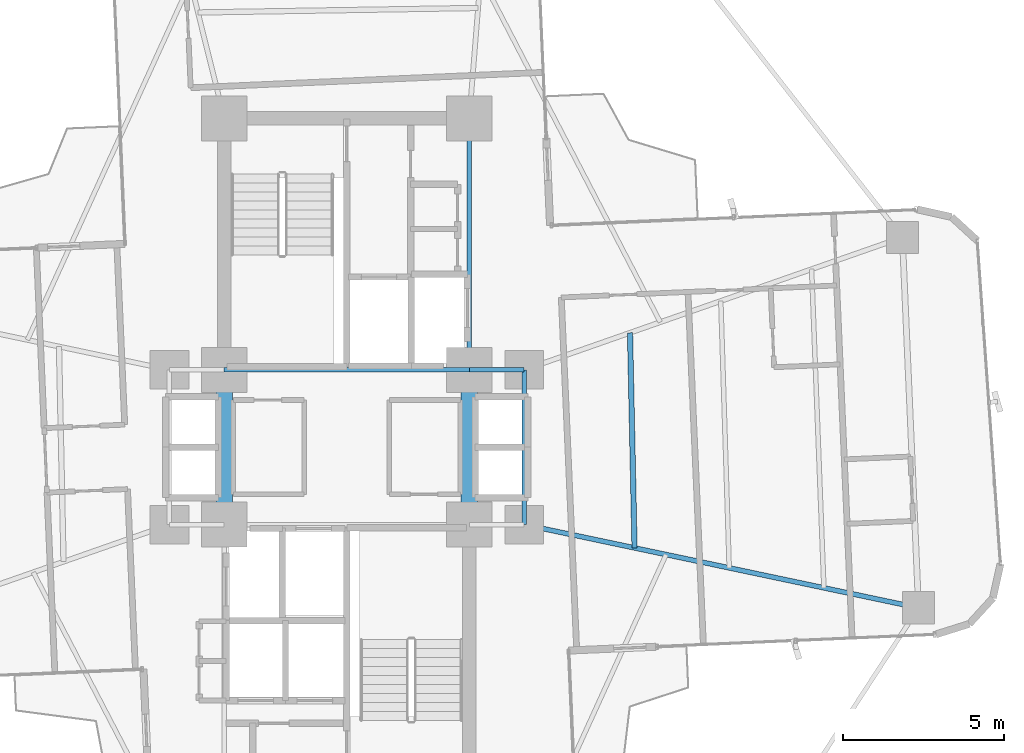
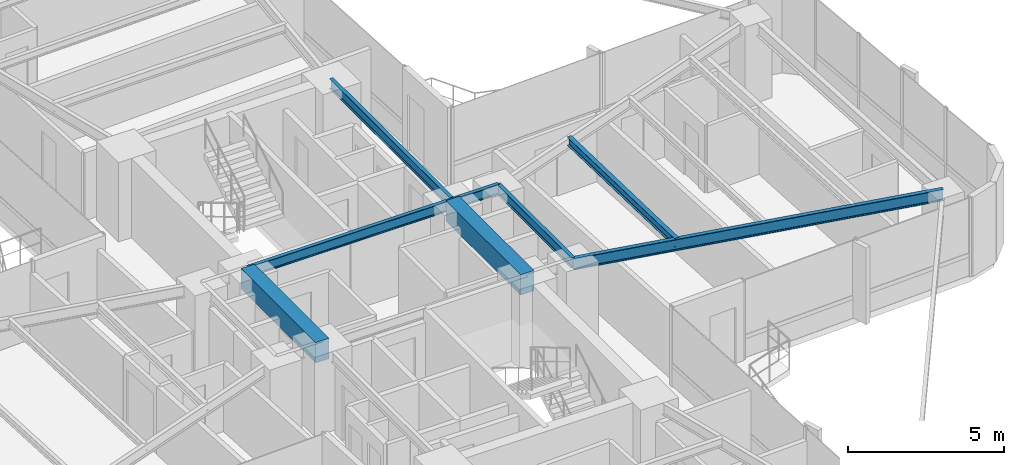
# One storey, part 12 of 26: 8 beams.
"""IFC4 building model written with IfcOpenShell, lengths in metres."""

from ifc_helpers import new_model, si_unit, direction, frame, origin, origin_2d, place, context, subcontext, project, spatial, rectangle, i_section, extrude, source, transform, mapped, material, material_profile, profile_set, type_object, element, save


model = new_model("IFC4")

# Units and contexts
model_context = context("Model", 3, precision=1e-05, world=origin(), true_north=direction((0.0, 1.0)))
body_context = subcontext(model_context, "Body", "Model", "MODEL_VIEW")
ifc_project = project(units=[si_unit("LENGTHUNIT", "METRE"), si_unit("AREAUNIT", "SQUARE_METRE"), si_unit("VOLUMEUNIT", "CUBIC_METRE"), si_unit("PLANEANGLEUNIT", "RADIAN"), si_unit("MASSUNIT", "GRAM", prefix="KILO")], contexts=[model_context])

# Site, building, storey
site_placement = place(None, origin())
site = spatial("IfcSite", under=ifc_project, at=site_placement, CompositionType="ELEMENT")
building_placement = place(site_placement, origin())
building = spatial("IfcBuilding", under=site, at=building_placement, Name="Sahyath Konkavel Grand Hotel", CompositionType="ELEMENT")
storey_placement = place(building_placement, frame((0.0, 0.0, 118.14990234375)))
storey = spatial("IfcBuildingStorey", under=building, at=storey_placement, Name="L32", CompositionType="ELEMENT", Elevation=118.14990234375)

# Beams
ifc_material_1 = material(Name="Steel E350", Category="steel")
ifc_material_profile_1 = material_profile(ifc_material_1, i_section(OverallWidth=0.139892578125, OverallDepth=0.39990234375, WebThickness=0.0087890625, FlangeThickness=0.01611328125, FilletRadius=0.013916015625, at=origin_2d()), Name="ISMB 400")
ifc_profile_set_1 = profile_set([ifc_material_profile_1], Name="Steel E350")
beam_type_1 = type_object("IfcBeamType", Name="BM-ISMB400", PredefinedType="BEAM", material=ifc_profile_set_1)
shared_shape_1 = source(origin(), body_context, "Body", "SweptSolid", [
    extrude(i_section(OverallWidth=0.139892578125, OverallDepth=0.39990234375, WebThickness=0.0087890625, FlangeThickness=0.01611328125, FilletRadius=0.013916015625, at=origin_2d()), origin(), (0.0, 0.0, 1.0), 7.60009765625),
])
beam_1_placement = place(storey_placement, frame((-3.800048828125, 2.39990234375, 2.91015625), z_axis=(1.0, 0.0, 0.0), x_axis=(0.0, 1.0, 0.0)))
element("IfcBeam", 1, at=beam_1_placement, inside=storey, type_object=beam_type_1, Name="str:bm:L32:NC-S", PredefinedType="BEAM", context=body_context, shape_type="MappedRepresentation", body=[
    mapped(shared_shape_1, transform((0.0, 0.0, 0.0), scale=1.0)),
])
shared_shape_2 = source(origin(), body_context, "Body", "SweptSolid", [
    extrude(i_section(OverallWidth=0.139892578125, OverallDepth=0.39990234375, WebThickness=0.0087890625, FlangeThickness=0.01611328125, FilletRadius=0.013916015625, at=origin_2d()), origin(), (0.0, 0.0, 1.0), 7.800048828125),
])
beam_2_placement = place(storey_placement, frame((3.800048828125, 2.39990234375, 2.91015625), z_axis=(0.0, 1.0, 0.0), x_axis=(-1.0, 0.0, 0.0)))
element("IfcBeam", 2, at=beam_2_placement, inside=storey, type_object=beam_type_1, Name="str:bm:L32:NC-E", PredefinedType="BEAM", context=body_context, shape_type="MappedRepresentation", body=[
    mapped(shared_shape_2, transform((0.0, 0.0, 0.0), scale=1.0)),
])
shared_shape_3 = source(origin(), body_context, "Body", "SweptSolid", [
    extrude(i_section(OverallWidth=0.139892578125, OverallDepth=0.39990234375, WebThickness=0.0087890625, FlangeThickness=0.01611328125, FilletRadius=0.013916015625, at=origin_2d()), origin(), (0.0, 0.0, 1.0), 1.699951171875),
])
beam_3_placement = place(storey_placement, frame((3.800048828125, 2.39990234375, 2.91015625), z_axis=(1.0, 0.0, 0.0), x_axis=(0.0, 1.0, 0.0)))
element("IfcBeam", 3, at=beam_3_placement, inside=storey, type_object=beam_type_1, Name="str:bm:L32:HB-NE", PredefinedType="BEAM", context=body_context, shape_type="MappedRepresentation", body=[
    mapped(shared_shape_3, transform((0.0, 0.0, 0.0), scale=1.0)),
])
shared_shape_4 = source(origin(), body_context, "Body", "SweptSolid", [
    extrude(i_section(OverallWidth=0.139892578125, OverallDepth=0.39990234375, WebThickness=0.0087890625, FlangeThickness=0.01611328125, FilletRadius=0.013916015625, at=origin_2d()), origin(), (0.0, 0.0, 1.0), 4.7998046875),
])
beam_4_placement = place(storey_placement, frame((5.5, -2.39990234375, 2.91015625), z_axis=(0.0, 1.0, 0.0), x_axis=(-1.0, 0.0, 0.0)))
element("IfcBeam", 4, at=beam_4_placement, inside=storey, type_object=beam_type_1, Name="str:bm:L32:HB-E", PredefinedType="BEAM", context=body_context, shape_type="MappedRepresentation", body=[
    mapped(shared_shape_4, transform((0.0, 0.0, 0.0), scale=1.0)),
])
ifc_material_2 = material(Name="Concrete C50/60", Category="concrete")
ifc_material_profile_2 = material_profile(ifc_material_2, rectangle(XDim=0.5, YDim=0.800048828125, at=origin_2d()), Name="RC 500x800")
ifc_profile_set_2 = profile_set([ifc_material_profile_2], Name="Concrete C50/60")
beam_type_2 = type_object("IfcBeamType", Name="BM-CB500x800", PredefinedType="LINTEL", material=ifc_profile_set_2)
shared_shape_5 = source(origin(), body_context, "Body", "SweptSolid", [
    extrude(rectangle(XDim=0.5, YDim=0.800048828125, at=origin_2d()), origin(), (0.0, 0.0, 1.0), 4.7998046875),
])
for number, where, z_axis, x_axis, name in (
    (5, (-3.800048828125, -2.39990234375, 2.710205078125), (0.0, 1.0, 0.0), (-1.0, 0.0, 0.0), "L32 Split-Core Coupling Beam West"),
    (6, (3.800048828125, -2.39990234375, 2.710205078125), (0.0, 1.0, 0.0), (-1.0, 0.0, 0.0), "L32 Split-Core Coupling Beam East"),
):
    element("IfcBeam", number, at=place(storey_placement, frame(where, z_axis=z_axis, x_axis=x_axis)), inside=storey, type_object=beam_type_2, Name=name, PredefinedType="LINTEL", context=body_context, shape_type="MappedRepresentation", body=[
        mapped(shared_shape_5, transform((0.0, 0.0, 0.0), scale=1.0)),
    ])
ifc_material_profile_3 = material_profile(ifc_material_1, i_section(OverallWidth=0.14990234375, OverallDepth=0.449951171875, WebThickness=0.009521484375, FlangeThickness=0.017333984375, FilletRadius=0.014892578125, at=origin_2d()), Name="ISMB 450")
ifc_profile_set_3 = profile_set([ifc_material_profile_3], Name="Steel E350")
beam_type_3 = type_object("IfcBeamType", Name="BM-ISMB450", PredefinedType="BEAM", material=ifc_profile_set_3)
shared_shape_6 = source(origin(), body_context, "Body", "SweptSolid", [
    extrude(i_section(OverallWidth=0.14990234375, OverallDepth=0.449951171875, WebThickness=0.009521484375, FlangeThickness=0.017333984375, FilletRadius=0.014892578125, at=origin_2d()), origin(), (0.0, 0.0, 1.0), 12.50341796875),
])
beam_5_placement = place(storey_placement, frame((5.5, -2.39990234375, 2.885009765625), z_axis=(0.978457911392, -0.206446398937, 0.0), x_axis=(0.206446398937, 0.978457911392, 0.0)))
element("IfcBeam", 7, at=beam_5_placement, inside=storey, type_object=beam_type_3, Name="L32 Cruciform Radial Girder EA", PredefinedType="BEAM", context=body_context, shape_type="MappedRepresentation", body=[
    mapped(shared_shape_6, transform((0.0, 0.0, 0.0), scale=1.0)),
])
ifc_material_profile_4 = material_profile(ifc_material_1, i_section(OverallWidth=0.1650390625, OverallDepth=0.324951171875, WebThickness=0.007080078125, FlangeThickness=0.009765625, FilletRadius=0.014892578125, at=origin_2d()), Name="ISLB 325")
ifc_profile_set_4 = profile_set([ifc_material_profile_4], Name="Steel E350")
beam_type_4 = type_object("IfcBeamType", Name="BM-ISLB325", PredefinedType="BEAM", material=ifc_profile_set_4)
shared_shape_7 = source(origin(), body_context, "Body", "SweptSolid", [
    extrude(i_section(OverallWidth=0.1650390625, OverallDepth=0.324951171875, WebThickness=0.007080078125, FlangeThickness=0.009765625, FilletRadius=0.014892578125, at=origin_2d()), origin(), (0.0, 0.0, 1.0), 6.674560546875),
])
beam_6_placement = place(storey_placement, frame((8.925537109375, -3.122802734375, 2.947509765625), z_axis=(-0.021032188543, 0.999778799058, 0.0), x_axis=(-0.999778799058, -0.021032188543, 0.0)))
element("IfcBeam", 8, at=beam_6_placement, inside=storey, type_object=beam_type_4, Name="L32 Secondary Floor Beam E-1", PredefinedType="BEAM", context=body_context, shape_type="MappedRepresentation", body=[
    mapped(shared_shape_7, transform((0.0, 0.0, 0.0), scale=1.0)),
])

save(model, "model.ifc")
